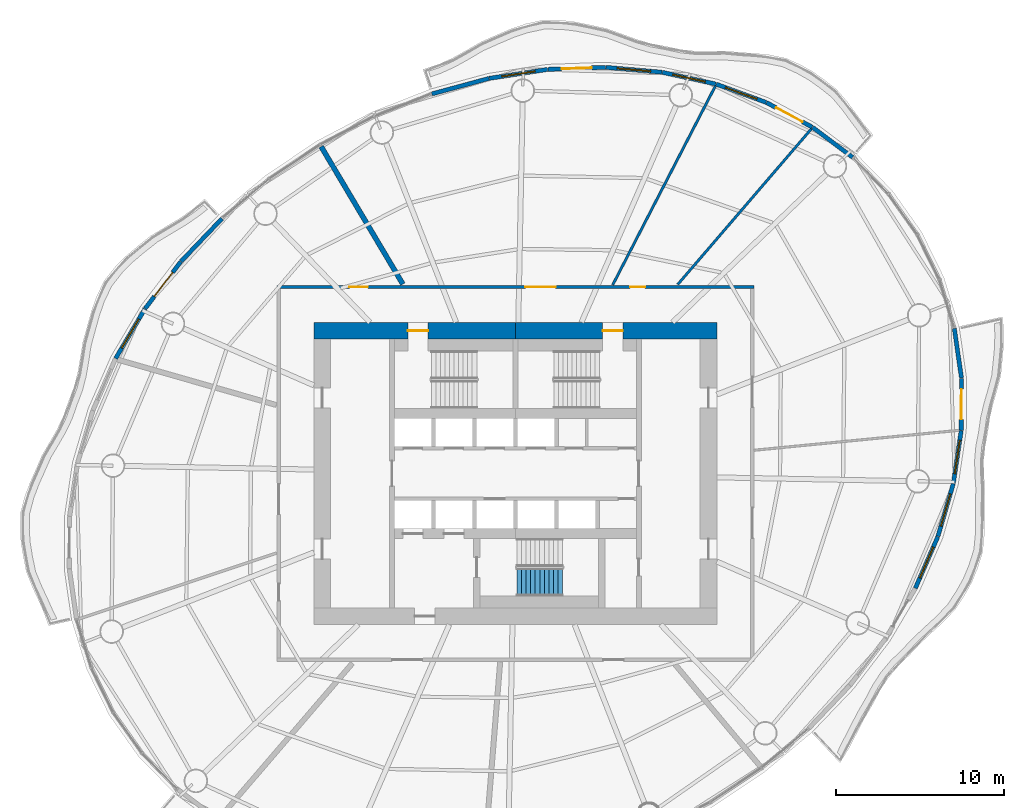
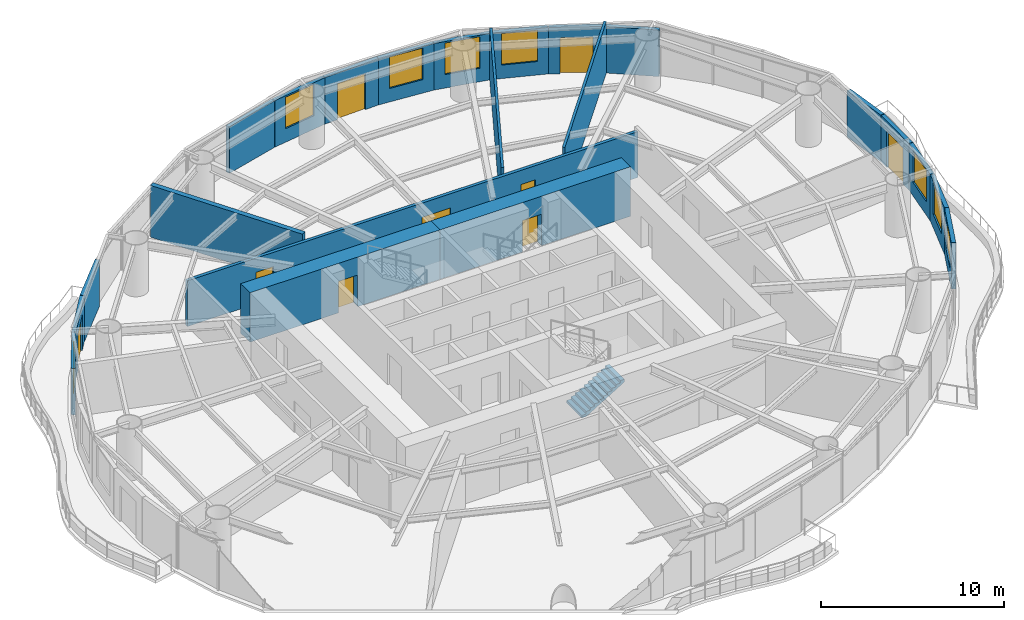
# One storey, part 10 of 14: 22 walls, 9 doors, 8 windows, 1 stair flight, 17 openings, 1 element without a shape of its own.
"""IFC4 building model written with IfcOpenShell, lengths in metres."""

from ifc_helpers import new_model, si_unit, direction, frame, frame_2d, origin, place, context, subcontext, project, spatial, polyline, rectangle, outline, extrude, material, layer, layer_set, type_object, element, fill, aggregate, save


model = new_model("IFC4")

# Units and contexts
model_context = context("Model", 3, precision=1e-05, world=origin(), true_north=direction((0.0, 1.0)))
body_context = subcontext(model_context, "Body", "Model", "MODEL_VIEW")
ifc_project = project(units=[si_unit("LENGTHUNIT", "METRE"), si_unit("AREAUNIT", "SQUARE_METRE"), si_unit("VOLUMEUNIT", "CUBIC_METRE"), si_unit("PLANEANGLEUNIT", "RADIAN"), si_unit("MASSUNIT", "GRAM", prefix="KILO")], contexts=[model_context])

# Site, building, storey
site_placement = place(None, origin())
site = spatial("IfcSite", under=ifc_project, at=site_placement, CompositionType="ELEMENT")
building_placement = place(site_placement, origin())
building = spatial("IfcBuilding", under=site, at=building_placement, Name="Vermilion Reach Broadcast Tower", CompositionType="ELEMENT")
storey_placement = place(building_placement, frame((0.0, 0.0, 157.800048828125)))
storey = spatial("IfcBuildingStorey", under=building, at=storey_placement, Name="L37", CompositionType="ELEMENT", Elevation=157.800048828125)

# Wall, opening, door
ifc_material_1 = material(Name="Concrete C70", Category="concrete")
ifc_layer_1 = layer(ifc_material_1, 1.0)
ifc_layer_set_1 = layer_set([ifc_layer_1], Name="Core outer wall 1000 mm Concrete C70")
wall_type_1 = type_object("IfcWallType", Name="Core outer wall 1000 mm Concrete C70", PredefinedType="SHEAR", material=ifc_layer_set_1)
wall_1_placement = place(storey_placement, frame((6.0, 8.5, 0.0), z_axis=(0.0, 0.0, 1.0), x_axis=(-1.0, 0.0, 0.0)))
wall_1 = element("IfcWall", 1, at=wall_1_placement, inside=storey, type_object=wall_type_1, Name="L37 core wall onE", PredefinedType="SHEAR", context=body_context, shape_type="SweptSolid", body=[
    extrude(rectangle(XDim=12.0, YDim=1.0, at=frame_2d((6.0, 0.0))), origin(), (0.0, 0.0, 1.0), 3.300048828125),
])
opening_1_placement = place(wall_1_placement, frame((5.60009765625, 0.0, 0.0)))
opening_1 = element("IfcOpeningElement", 2, at=opening_1_placement, cuts=wall_1, Name="Opening D01", PredefinedType="OPENING", context=body_context, shape_type="SweptSolid", body=[
    extrude(rectangle(XDim=1.199951171875, YDim=2.10009765625, at=frame_2d((0.60009765625, 1.050048828125))), frame((0.0, 0.510009765625, 0.0), z_axis=(0.0, -1.0, 0.0), x_axis=(1.0, 0.0, 0.0)), (0.0, 0.0, 1.0), 1.02001953125),
])
ifc_material_2 = material(Name="Painted steel fire door", Category="steel")
door_type_1 = type_object("IfcDoorType", Name="Stair door 1200 x 2100", OperationType="DOUBLE_DOOR_SINGLE_SWING", PredefinedType="NOTDEFINED", material=ifc_material_2)
door_1_placement = place(opening_1_placement, origin())
door_1 = element("IfcDoor", 3, at=door_1_placement, inside=storey, type_object=door_type_1, Name="L37 stair door ST2", OperationType="DOUBLE_DOOR_SINGLE_SWING", OverallHeight=2.10009765625, OverallWidth=1.199951171875, PredefinedType="NOTDEFINED", context=body_context, shape_type="SweptSolid", body=[
    extrude(rectangle(XDim=1.199951171875, YDim=2.10009765625, at=frame_2d((0.60009765625, 1.050048828125))), frame((0.0, 0.02490234375, 0.0), z_axis=(0.0, -1.0, 0.0), x_axis=(1.0, 0.0, 0.0)), (0.0, 0.0, 1.0), 0.050048828125),
])
fill(opening_1, door_1)

wall_2_placement = place(storey_placement, frame((-6.0, 8.5, 0.0), z_axis=(0.0, 0.0, 1.0), x_axis=(-1.0, 0.0, 0.0)))
wall_2 = element("IfcWall", 4, at=wall_2_placement, inside=storey, type_object=wall_type_1, Name="L37 core wall onW", PredefinedType="SHEAR", context=body_context, shape_type="SweptSolid", body=[
    extrude(rectangle(XDim=12.0, YDim=1.0, at=frame_2d((6.0, 0.0))), origin(), (0.0, 0.0, 1.0), 3.300048828125),
])
opening_2_placement = place(wall_2_placement, frame((5.199951171875, 0.0, 0.0)))
opening_2 = element("IfcOpeningElement", 5, at=opening_2_placement, cuts=wall_2, Name="Opening D01", PredefinedType="OPENING", context=body_context, shape_type="SweptSolid", body=[
    extrude(rectangle(XDim=1.199951171875, YDim=2.10009765625, at=frame_2d((0.60009765625, 1.050048828125))), frame((0.0, 0.510009765625, 0.0), z_axis=(0.0, -1.0, 0.0), x_axis=(1.0, 0.0, 0.0)), (0.0, 0.0, 1.0), 1.02001953125),
])
door_2_placement = place(opening_2_placement, origin())
door_2 = element("IfcDoor", 6, at=door_2_placement, inside=storey, type_object=door_type_1, Name="L37 stair door ST1", OperationType="DOUBLE_DOOR_SINGLE_SWING", OverallHeight=2.10009765625, OverallWidth=1.199951171875, PredefinedType="NOTDEFINED", context=body_context, shape_type="SweptSolid", body=[
    extrude(rectangle(XDim=1.199951171875, YDim=2.10009765625, at=frame_2d((0.60009765625, 1.050048828125))), frame((0.0, 0.02490234375, 0.0), z_axis=(0.0, -1.0, 0.0), x_axis=(1.0, 0.0, 0.0)), (0.0, 0.0, 1.0), 0.050048828125),
])
fill(opening_2, door_2)

# Walls
ifc_material_3 = material(Name="Lightweight concrete block, plastered", Category="concrete")
ifc_layer_2 = layer(ifc_material_3, 0.14990234375)
ifc_layer_set_2 = layer_set([ifc_layer_2], Name="Partition 150 lightweight block")
wall_type_2 = type_object("IfcWallType", Name="Partition 150 lightweight block", PredefinedType="PARTITIONING", material=ifc_layer_set_2)
wall_3_placement = place(storey_placement, frame((11.6162109375, 20.51123046875, 0.0), z_axis=(0.0, 0.0, 1.0), x_axis=(-0.6515386605, -0.758615432135, 0.0)))
element("IfcWall", 7, at=wall_3_placement, inside=storey, type_object=wall_type_2, Name="Partition 37.01", PredefinedType="PARTITIONING", context=body_context, shape_type="SweptSolid", body=[
    extrude(rectangle(XDim=12.209716796875, YDim=0.14990234375, at=frame_2d((6.10498046875, 0.0))), origin(), (0.0, 0.0, 1.0), 3.449951171875),
])
wall_4_placement = place(storey_placement, frame((5.904541015625, 23.0673828125, 0.0), z_axis=(0.0, 0.0, 1.0), x_axis=(-0.458603221977, -0.888641145116, 0.0)))
element("IfcWall", 8, at=wall_4_placement, inside=storey, type_object=wall_type_2, Name="Partition 37.02", PredefinedType="PARTITIONING", context=body_context, shape_type="SweptSolid", body=[
    extrude(rectangle(XDim=13.31591796875, YDim=0.14990234375, at=frame_2d((6.657958984375, 0.0))), origin(), (0.0, 0.0, 1.0), 3.449951171875),
])
ifc_material_4 = material(Name="Double-leaf plasterboard on isolated steel stud", Category="steel")
ifc_layer_3 = layer(ifc_material_4, 0.300048828125)
ifc_layer_set_3 = layer_set([ifc_layer_3], Name="Partition 300 acoustic double leaf")
wall_type_3 = type_object("IfcWallType", Name="Partition 300 acoustic double leaf", PredefinedType="PARTITIONING", material=ifc_layer_set_3)
wall_5_placement = place(storey_placement, frame((-17.564208984375, 19.4609375, 0.0), z_axis=(0.0, 0.0, 1.0), x_axis=(0.510836754181, -0.859677736467, 0.0)))
element("IfcWall", 9, at=wall_5_placement, inside=storey, type_object=wall_type_3, Name="Partition 37.03", PredefinedType="PARTITIONING", context=body_context, shape_type="SweptSolid", body=[
    extrude(rectangle(XDim=9.520263671875, YDim=0.300048828125, at=frame_2d((4.76025390625, 0.0))), origin(), (0.0, 0.0, 1.0), 3.449951171875),
])
ifc_material_5 = material(Name="Terracotta rainscreen cladding", Category="masonry")
ifc_layer_4 = layer(ifc_material_5, 0.25)
ifc_layer_set_4 = layer_set([ifc_layer_4], Name="Terracotta rainscreen wall 250")
wall_type_4 = type_object("IfcWallType", Name="Terracotta rainscreen wall 250", PredefinedType="SOLIDWALL", material=ifc_layer_set_4)
wall_6_placement = place(storey_placement, frame((14.07958984375, 18.82568359375, 0.0), z_axis=(0.0, 0.0, 1.0), x_axis=(-0.800953148143, 0.598727028353, 0.0)))
element("IfcWall", 10, at=wall_6_placement, inside=storey, type_object=wall_type_4, Name="External wall L37 02", PredefinedType="SOLIDWALL", context=body_context, shape_type="SweptSolid", body=[
    extrude(rectangle(XDim=2.978271484375, YDim=0.25, at=frame_2d((1.4892578125, 0.0))), origin(), (0.0, 0.0, 1.0), 3.099853515625),
])

# Wall, opening, door
wall_7_placement = place(storey_placement, frame((11.671630859375, 20.623046875, 0.0), z_axis=(0.0, 0.0, 1.0), x_axis=(-0.880950483719, 0.473208458541, 0.0)))
wall_7 = element("IfcWall", 11, at=wall_7_placement, inside=storey, type_object=wall_type_4, Name="External wall L37 03", PredefinedType="SOLIDWALL", context=body_context, shape_type="SweptSolid", body=[
    extrude(rectangle(XDim=3.087890625, YDim=0.25, at=frame_2d((1.5439453125, 0.0))), origin(), (0.0, 0.0, 1.0), 3.099853515625),
])
opening_3_placement = place(wall_7_placement, frame((0.64404296875, 0.0, 0.0)))
opening_3 = element("IfcOpeningElement", 12, at=opening_3_placement, cuts=wall_7, Name="Opening D70", PredefinedType="OPENING", context=body_context, shape_type="SweptSolid", body=[
    extrude(rectangle(XDim=1.800048828125, YDim=2.39990234375, at=frame_2d((0.89990234375, 1.199951171875))), frame((0.0, 0.135009765625, 0.0), z_axis=(0.0, -1.0, 0.0), x_axis=(1.0, 0.0, 0.0)), (0.0, 0.0, 1.0), 0.27001953125),
])
ifc_material_6 = material(Name="Low-e laminated clear glass in aluminium frame", Category="aluminium")
door_type_2 = type_object("IfcDoorType", Name="Balcony sliding door 1800 x 2400", OperationType="DOUBLE_DOOR_SLIDING", PredefinedType="DOOR", material=ifc_material_6)
door_3_placement = place(opening_3_placement, origin())
door_3 = element("IfcDoor", 13, at=door_3_placement, inside=storey, type_object=door_type_2, Name="Balcony door L37 run 01", OperationType="DOUBLE_DOOR_SLIDING", OverallHeight=2.39990234375, OverallWidth=1.800048828125, PredefinedType="DOOR", context=body_context, shape_type="SweptSolid", body=[
    extrude(rectangle(XDim=1.800048828125, YDim=2.39990234375, at=frame_2d((0.89990234375, 1.199951171875))), frame((0.0, 0.02490234375, 0.0), z_axis=(0.0, -1.0, 0.0), x_axis=(1.0, 0.0, 0.0)), (0.0, 0.0, 1.0), 0.050048828125),
])
fill(opening_3, door_3)

# Wall, opening, window
wall_8_placement = place(storey_placement, frame((8.927978515625, 22.0947265625, 0.0), z_axis=(0.0, 0.0, 1.0), x_axis=(-0.93919375703, 0.343387662498, 0.0)))
wall_8 = element("IfcWall", 14, at=wall_8_placement, inside=storey, type_object=wall_type_4, Name="External wall L37 04", PredefinedType="SOLIDWALL", context=body_context, shape_type="SweptSolid", body=[
    extrude(rectangle(XDim=3.16943359375, YDim=0.25, at=frame_2d((1.584716796875, 0.0))), origin(), (0.0, 0.0, 1.0), 3.099853515625),
])
opening_4_placement = place(wall_8_placement, frame((0.584716796875, 0.0, 0.89990234375)))
opening_4 = element("IfcOpeningElement", 15, at=opening_4_placement, cuts=wall_8, Name="Opening W03", PredefinedType="OPENING", context=body_context, shape_type="SweptSolid", body=[
    extrude(rectangle(XDim=2.0, YDim=2.10009765625, at=frame_2d((1.0, 1.050048828125))), frame((0.0, 0.135009765625, 0.0), z_axis=(0.0, -1.0, 0.0), x_axis=(1.0, 0.0, 0.0)), (0.0, 0.0, 1.0), 0.27001953125),
])
ifc_material_7 = material(Name="Low-e laminated clear glass in aluminium frame", Category="aluminium")
window_type = type_object("IfcWindowType", Name="Punched window 2000 x 2100 sill 900", PartitioningType="SINGLE_PANEL", PredefinedType="WINDOW", material=ifc_material_7)
window_1_placement = place(opening_4_placement, origin())
window_1 = element("IfcWindow", 16, at=window_1_placement, inside=storey, type_object=window_type, Name="Window L37 04", OverallHeight=2.10009765625, OverallWidth=2.0, PartitioningType="SINGLE_PANEL", PredefinedType="WINDOW", context=body_context, shape_type="SweptSolid", body=[
    extrude(rectangle(XDim=2.0, YDim=2.10009765625, at=frame_2d((1.0, 1.050048828125))), frame((0.0, 0.030029296875, 0.0), z_axis=(0.0, -1.0, 0.0), x_axis=(1.0, 0.0, 0.0)), (0.0, 0.0, 1.0), 0.06005859375),
])
fill(opening_4, window_1)

wall_9_placement = place(storey_placement, frame((5.92724609375, 23.190185546875, 0.0), z_axis=(0.0, 0.0, 1.0), x_axis=(-0.976913214514, 0.213636540199, 0.0)))
wall_9 = element("IfcWall", 17, at=wall_9_placement, inside=storey, type_object=wall_type_4, Name="External wall L37 05", PredefinedType="SOLIDWALL", context=body_context, shape_type="SweptSolid", body=[
    extrude(rectangle(XDim=3.258056640625, YDim=0.25, at=frame_2d((1.62890625, 0.0))), origin(), (0.0, 0.0, 1.0), 3.099853515625),
])
opening_5_placement = place(wall_9_placement, frame((0.629150390625, 0.0, 0.89990234375)))
opening_5 = element("IfcOpeningElement", 18, at=opening_5_placement, cuts=wall_9, Name="Opening W03", PredefinedType="OPENING", context=body_context, shape_type="SweptSolid", body=[
    extrude(rectangle(XDim=2.0, YDim=2.10009765625, at=frame_2d((1.0, 1.050048828125))), frame((0.0, 0.135009765625, 0.0), z_axis=(0.0, -1.0, 0.0), x_axis=(1.0, 0.0, 0.0)), (0.0, 0.0, 1.0), 0.27001953125),
])
window_2_placement = place(opening_5_placement, origin())
window_2 = element("IfcWindow", 19, at=window_2_placement, inside=storey, type_object=window_type, Name="Window L37 05", OverallHeight=2.10009765625, OverallWidth=2.0, PartitioningType="SINGLE_PANEL", PredefinedType="WINDOW", context=body_context, shape_type="SweptSolid", body=[
    extrude(rectangle(XDim=2.0, YDim=2.10009765625, at=frame_2d((1.0, 1.050048828125))), frame((0.0, 0.030029296875, 0.0), z_axis=(0.0, -1.0, 0.0), x_axis=(1.0, 0.0, 0.0)), (0.0, 0.0, 1.0), 0.06005859375),
])
fill(opening_5, window_2)

wall_10_placement = place(storey_placement, frame((2.720703125, 23.889892578125, 0.0), z_axis=(0.0, 0.0, 1.0), x_axis=(-0.996225793942, 0.086799582281, 0.0)))
wall_10 = element("IfcWall", 20, at=wall_10_placement, inside=storey, type_object=wall_type_4, Name="External wall L37 06", PredefinedType="SOLIDWALL", context=body_context, shape_type="SweptSolid", body=[
    extrude(rectangle(XDim=3.34716796875, YDim=0.25, at=frame_2d((1.673583984375, 0.0))), origin(), (0.0, 0.0, 1.0), 3.099853515625),
])
opening_6_placement = place(wall_10_placement, frame((0.673583984375, 0.0, 0.89990234375)))
opening_6 = element("IfcOpeningElement", 21, at=opening_6_placement, cuts=wall_10, Name="Opening W03", PredefinedType="OPENING", context=body_context, shape_type="SweptSolid", body=[
    extrude(rectangle(XDim=2.0, YDim=2.10009765625, at=frame_2d((1.0, 1.050048828125))), frame((0.0, 0.135009765625, 0.0), z_axis=(0.0, -1.0, 0.0), x_axis=(1.0, 0.0, 0.0)), (0.0, 0.0, 1.0), 0.27001953125),
])
window_3_placement = place(opening_6_placement, origin())
window_3 = element("IfcWindow", 22, at=window_3_placement, inside=storey, type_object=window_type, Name="Window L37 06", OverallHeight=2.10009765625, OverallWidth=2.0, PartitioningType="SINGLE_PANEL", PredefinedType="WINDOW", context=body_context, shape_type="SweptSolid", body=[
    extrude(rectangle(XDim=2.0, YDim=2.10009765625, at=frame_2d((1.0, 1.050048828125))), frame((0.0, 0.030029296875, 0.0), z_axis=(0.0, -1.0, 0.0), x_axis=(1.0, 0.0, 0.0)), (0.0, 0.0, 1.0), 0.06005859375),
])
fill(opening_6, window_3)

# Wall, opening, door
wall_11_placement = place(storey_placement, frame((-0.63720703125, 24.18115234375, 0.0), z_axis=(0.0, 0.0, 1.0), x_axis=(-0.9993794249, -0.035224495537, 0.0)))
wall_11 = element("IfcWall", 23, at=wall_11_placement, inside=storey, type_object=wall_type_4, Name="External wall L37 07", PredefinedType="SOLIDWALL", context=body_context, shape_type="SweptSolid", body=[
    extrude(rectangle(XDim=3.430908203125, YDim=0.25, at=frame_2d((1.71533203125, 0.0))), origin(), (0.0, 0.0, 1.0), 3.099853515625),
])
opening_7_placement = place(wall_11_placement, frame((0.81591796875, 0.0, 0.0)))
opening_7 = element("IfcOpeningElement", 24, at=opening_7_placement, cuts=wall_11, Name="Opening D70", PredefinedType="OPENING", context=body_context, shape_type="SweptSolid", body=[
    extrude(rectangle(XDim=1.800048828125, YDim=2.39990234375, at=frame_2d((0.89990234375, 1.199951171875))), frame((0.0, 0.135009765625, 0.0), z_axis=(0.0, -1.0, 0.0), x_axis=(1.0, 0.0, 0.0)), (0.0, 0.0, 1.0), 0.27001953125),
])
door_4_placement = place(opening_7_placement, origin())
door_4 = element("IfcDoor", 25, at=door_4_placement, inside=storey, type_object=door_type_2, Name="Balcony door L37 run 02", OperationType="DOUBLE_DOOR_SLIDING", OverallHeight=2.39990234375, OverallWidth=1.800048828125, PredefinedType="DOOR", context=body_context, shape_type="SweptSolid", body=[
    extrude(rectangle(XDim=1.800048828125, YDim=2.39990234375, at=frame_2d((0.89990234375, 1.199951171875))), frame((0.0, 0.02490234375, 0.0), z_axis=(0.0, -1.0, 0.0), x_axis=(1.0, 0.0, 0.0)), (0.0, 0.0, 1.0), 0.050048828125),
])
fill(opening_7, door_4)

# Wall, opening, window
wall_12_placement = place(storey_placement, frame((-4.088623046875, 24.05810546875, 0.0), z_axis=(0.0, 0.0, 1.0), x_axis=(-0.98845290294, -0.151528408789, 0.0)))
wall_12 = element("IfcWall", 26, at=wall_12_placement, inside=storey, type_object=wall_type_4, Name="External wall L37 08", PredefinedType="SOLIDWALL", context=body_context, shape_type="SweptSolid", body=[
    extrude(rectangle(XDim=3.50439453125, YDim=0.25, at=frame_2d((1.752197265625, 0.0))), origin(), (0.0, 0.0, 1.0), 3.099853515625),
])
opening_8_placement = place(wall_12_placement, frame((0.752197265625, 0.0, 0.89990234375)))
opening_8 = element("IfcOpeningElement", 27, at=opening_8_placement, cuts=wall_12, Name="Opening W03", PredefinedType="OPENING", context=body_context, shape_type="SweptSolid", body=[
    extrude(rectangle(XDim=2.0, YDim=2.10009765625, at=frame_2d((1.0, 1.050048828125))), frame((0.0, 0.135009765625, 0.0), z_axis=(0.0, -1.0, 0.0), x_axis=(1.0, 0.0, 0.0)), (0.0, 0.0, 1.0), 0.27001953125),
])
window_4_placement = place(opening_8_placement, origin())
window_4 = element("IfcWindow", 28, at=window_4_placement, inside=storey, type_object=window_type, Name="Window L37 08", OverallHeight=2.10009765625, OverallWidth=2.0, PartitioningType="SINGLE_PANEL", PredefinedType="WINDOW", context=body_context, shape_type="SweptSolid", body=[
    extrude(rectangle(XDim=2.0, YDim=2.10009765625, at=frame_2d((1.0, 1.050048828125))), frame((0.0, 0.030029296875, 0.0), z_axis=(0.0, -1.0, 0.0), x_axis=(1.0, 0.0, 0.0)), (0.0, 0.0, 1.0), 0.06005859375),
])
fill(opening_8, window_4)

# Walls
wall_13_placement = place(storey_placement, frame((-7.573974609375, 23.5224609375, 0.0), z_axis=(0.0, 0.0, 1.0), x_axis=(-0.965135872227, -0.261749399505, 0.0)))
element("IfcWall", 29, at=wall_13_placement, inside=storey, type_object=wall_type_4, Name="External wall L37 09", PredefinedType="SOLIDWALL", context=body_context, shape_type="SweptSolid", body=[
    extrude(rectangle(XDim=3.519287109375, YDim=0.25, at=frame_2d((1.759765625, 0.0))), origin(), (0.0, 0.0, 1.0), 3.099853515625),
])
wall_14_placement = place(storey_placement, frame((-23.474853515625, 15.170654296875, 0.0), z_axis=(0.0, 0.0, 1.0), x_axis=(-0.691359678914, -0.722510757271, 0.0)))
element("IfcWall", 30, at=wall_14_placement, inside=storey, type_object=wall_type_4, Name="External wall L37 14", PredefinedType="SOLIDWALL", context=body_context, shape_type="SweptSolid", body=[
    extrude(rectangle(XDim=3.51904296875, YDim=0.25, at=frame_2d((1.759521484375, 0.0))), origin(), (0.0, 0.0, 1.0), 3.099853515625),
])

# Wall, opening, door
wall_15_placement = place(storey_placement, frame((-25.922119140625, 12.611328125, 0.0), z_axis=(0.0, 0.0, 1.0), x_axis=(-0.605625422528, -0.795749864962, 0.0)))
wall_15 = element("IfcWall", 31, at=wall_15_placement, inside=storey, type_object=wall_type_4, Name="External wall L37 15", PredefinedType="SOLIDWALL", context=body_context, shape_type="SweptSolid", body=[
    extrude(rectangle(XDim=3.50439453125, YDim=0.25, at=frame_2d((1.752197265625, 0.0))), origin(), (0.0, 0.0, 1.0), 3.099853515625),
])
opening_9_placement = place(wall_15_placement, frame((0.802001953125, 0.0, 0.0)))
opening_9 = element("IfcOpeningElement", 32, at=opening_9_placement, cuts=wall_15, Name="Opening D70", PredefinedType="OPENING", context=body_context, shape_type="SweptSolid", body=[
    extrude(rectangle(XDim=1.800048828125, YDim=2.39990234375, at=frame_2d((0.89990234375, 1.199951171875))), frame((0.0, 0.135009765625, 0.0), z_axis=(0.0, -1.0, 0.0), x_axis=(1.0, 0.0, 0.0)), (0.0, 0.0, 1.0), 0.27001953125),
])
door_5_placement = place(opening_9_placement, origin())
door_5 = element("IfcDoor", 33, at=door_5_placement, inside=storey, type_object=door_type_2, Name="Balcony door L37 run 04", OperationType="DOUBLE_DOOR_SLIDING", OverallHeight=2.39990234375, OverallWidth=1.800048828125, PredefinedType="DOOR", context=body_context, shape_type="SweptSolid", body=[
    extrude(rectangle(XDim=1.800048828125, YDim=2.39990234375, at=frame_2d((0.89990234375, 1.199951171875))), frame((0.0, 0.02490234375, 0.0), z_axis=(0.0, -1.0, 0.0), x_axis=(1.0, 0.0, 0.0)), (0.0, 0.0, 1.0), 0.050048828125),
])
fill(opening_9, door_5)

# Wall, opening, window
wall_16_placement = place(storey_placement, frame((-28.05712890625, 9.803955078125, 0.0), z_axis=(0.0, 0.0, 1.0), x_axis=(-0.508707735762, -0.860939277519, 0.0)))
wall_16 = element("IfcWall", 34, at=wall_16_placement, inside=storey, type_object=wall_type_4, Name="External wall L37 16", PredefinedType="SOLIDWALL", context=body_context, shape_type="SweptSolid", body=[
    extrude(rectangle(XDim=3.430908203125, YDim=0.25, at=frame_2d((1.71533203125, 0.0))), origin(), (0.0, 0.0, 1.0), 3.099853515625),
])
opening_10_placement = place(wall_16_placement, frame((0.715576171875, 0.0, 0.89990234375)))
opening_10 = element("IfcOpeningElement", 35, at=opening_10_placement, cuts=wall_16, Name="Opening W03", PredefinedType="OPENING", context=body_context, shape_type="SweptSolid", body=[
    extrude(rectangle(XDim=2.0, YDim=2.10009765625, at=frame_2d((1.0, 1.050048828125))), frame((0.0, 0.135009765625, 0.0), z_axis=(0.0, -1.0, 0.0), x_axis=(1.0, 0.0, 0.0)), (0.0, 0.0, 1.0), 0.27001953125),
])
window_5_placement = place(opening_10_placement, origin())
window_5 = element("IfcWindow", 36, at=window_5_placement, inside=storey, type_object=window_type, Name="Window L37 16", OverallHeight=2.10009765625, OverallWidth=2.0, PartitioningType="SINGLE_PANEL", PredefinedType="WINDOW", context=body_context, shape_type="SweptSolid", body=[
    extrude(rectangle(XDim=2.0, YDim=2.10009765625, at=frame_2d((1.0, 1.050048828125))), frame((0.0, 0.030029296875, 0.0), z_axis=(0.0, -1.0, 0.0), x_axis=(1.0, 0.0, 0.0)), (0.0, 0.0, 1.0), 0.06005859375),
])
fill(opening_10, window_5)

wall_17_placement = place(storey_placement, frame((17.813232421875, -6.82958984375, 0.0), z_axis=(0.0, 0.0, 1.0), x_axis=(0.399984559648, 0.916521877559, 0.0)))
wall_17 = element("IfcWall", 37, at=wall_17_placement, inside=storey, type_object=wall_type_4, Name="External wall L37 41", PredefinedType="SOLIDWALL", context=body_context, shape_type="SweptSolid", body=[
    extrude(rectangle(XDim=3.347412109375, YDim=0.25, at=frame_2d((1.673828125, 0.0))), origin(), (0.0, 0.0, 1.0), 3.099853515625),
])
opening_11_placement = place(wall_17_placement, frame((0.673583984375, 0.0, 0.89990234375)))
opening_11 = element("IfcOpeningElement", 38, at=opening_11_placement, cuts=wall_17, Name="Opening W03", PredefinedType="OPENING", context=body_context, shape_type="SweptSolid", body=[
    extrude(rectangle(XDim=2.0, YDim=2.10009765625, at=frame_2d((1.0, 1.050048828125))), frame((0.0, 0.135009765625, 0.0), z_axis=(0.0, -1.0, 0.0), x_axis=(1.0, 0.0, 0.0)), (0.0, 0.0, 1.0), 0.27001953125),
])
window_6_placement = place(opening_11_placement, origin())
window_6 = element("IfcWindow", 39, at=window_6_placement, inside=storey, type_object=window_type, Name="Window L37 41", OverallHeight=2.10009765625, OverallWidth=2.0, PartitioningType="SINGLE_PANEL", PredefinedType="WINDOW", context=body_context, shape_type="SweptSolid", body=[
    extrude(rectangle(XDim=2.0, YDim=2.10009765625, at=frame_2d((1.0, 1.050048828125))), frame((0.0, 0.030029296875, 0.0), z_axis=(0.0, -1.0, 0.0), x_axis=(1.0, 0.0, 0.0)), (0.0, 0.0, 1.0), 0.06005859375),
])
fill(opening_11, window_6)

wall_18_placement = place(storey_placement, frame((19.16015625, -3.7392578125, 0.0), z_axis=(0.0, 0.0, 1.0), x_axis=(0.279349638575, 0.960189449759, 0.0)))
wall_18 = element("IfcWall", 40, at=wall_18_placement, inside=storey, type_object=wall_type_4, Name="External wall L37 42", PredefinedType="SOLIDWALL", context=body_context, shape_type="SweptSolid", body=[
    extrude(rectangle(XDim=3.258056640625, YDim=0.25, at=frame_2d((1.62890625, 0.0))), origin(), (0.0, 0.0, 1.0), 3.099853515625),
])
opening_12_placement = place(wall_18_placement, frame((0.629150390625, 0.0, 0.89990234375)))
opening_12 = element("IfcOpeningElement", 41, at=opening_12_placement, cuts=wall_18, Name="Opening W03", PredefinedType="OPENING", context=body_context, shape_type="SweptSolid", body=[
    extrude(rectangle(XDim=2.0, YDim=2.10009765625, at=frame_2d((1.0, 1.050048828125))), frame((0.0, 0.135009765625, 0.0), z_axis=(0.0, -1.0, 0.0), x_axis=(1.0, 0.0, 0.0)), (0.0, 0.0, 1.0), 0.27001953125),
])
window_7_placement = place(opening_12_placement, origin())
window_7 = element("IfcWindow", 42, at=window_7_placement, inside=storey, type_object=window_type, Name="Window L37 42", OverallHeight=2.10009765625, OverallWidth=2.0, PartitioningType="SINGLE_PANEL", PredefinedType="WINDOW", context=body_context, shape_type="SweptSolid", body=[
    extrude(rectangle(XDim=2.0, YDim=2.10009765625, at=frame_2d((1.0, 1.050048828125))), frame((0.0, 0.030029296875, 0.0), z_axis=(0.0, -1.0, 0.0), x_axis=(1.0, 0.0, 0.0)), (0.0, 0.0, 1.0), 0.06005859375),
])
fill(opening_12, window_7)

wall_19_placement = place(storey_placement, frame((20.07568359375, -0.58642578125, 0.0), z_axis=(0.0, 0.0, 1.0), x_axis=(0.147361008263, 0.989082773707, 0.0)))
wall_19 = element("IfcWall", 43, at=wall_19_placement, inside=storey, type_object=wall_type_4, Name="External wall L37 43", PredefinedType="SOLIDWALL", context=body_context, shape_type="SweptSolid", body=[
    extrude(rectangle(XDim=3.16943359375, YDim=0.25, at=frame_2d((1.584716796875, 0.0))), origin(), (0.0, 0.0, 1.0), 3.099853515625),
])
opening_13_placement = place(wall_19_placement, frame((0.584716796875, 0.0, 0.89990234375)))
opening_13 = element("IfcOpeningElement", 44, at=opening_13_placement, cuts=wall_19, Name="Opening W03", PredefinedType="OPENING", context=body_context, shape_type="SweptSolid", body=[
    extrude(rectangle(XDim=2.0, YDim=2.10009765625, at=frame_2d((1.0, 1.050048828125))), frame((0.0, 0.135009765625, 0.0), z_axis=(0.0, -1.0, 0.0), x_axis=(1.0, 0.0, 0.0)), (0.0, 0.0, 1.0), 0.27001953125),
])
window_8_placement = place(opening_13_placement, origin())
window_8 = element("IfcWindow", 45, at=window_8_placement, inside=storey, type_object=window_type, Name="Window L37 43", OverallHeight=2.10009765625, OverallWidth=2.0, PartitioningType="SINGLE_PANEL", PredefinedType="WINDOW", context=body_context, shape_type="SweptSolid", body=[
    extrude(rectangle(XDim=2.0, YDim=2.10009765625, at=frame_2d((1.0, 1.050048828125))), frame((0.0, 0.030029296875, 0.0), z_axis=(0.0, -1.0, 0.0), x_axis=(1.0, 0.0, 0.0)), (0.0, 0.0, 1.0), 0.06005859375),
])
fill(opening_13, window_8)

# Wall, opening, door
wall_20_placement = place(storey_placement, frame((20.544921875, 2.573974609375, 0.0), z_axis=(0.0, 0.0, 1.0), x_axis=(0.005534387094, 0.999984685162, 0.0)))
wall_20 = element("IfcWall", 46, at=wall_20_placement, inside=storey, type_object=wall_type_4, Name="External wall L37 44", PredefinedType="SOLIDWALL", context=body_context, shape_type="SweptSolid", body=[
    extrude(rectangle(XDim=3.087890625, YDim=0.25, at=frame_2d((1.5439453125, 0.0))), origin(), (0.0, 0.0, 1.0), 3.099853515625),
])
opening_14_placement = place(wall_20_placement, frame((0.64404296875, 0.0, 0.0)))
opening_14 = element("IfcOpeningElement", 47, at=opening_14_placement, cuts=wall_20, Name="Opening D70", PredefinedType="OPENING", context=body_context, shape_type="SweptSolid", body=[
    extrude(rectangle(XDim=1.800048828125, YDim=2.39990234375, at=frame_2d((0.89990234375, 1.199951171875))), frame((0.0, 0.135009765625, 0.0), z_axis=(0.0, -1.0, 0.0), x_axis=(1.0, 0.0, 0.0)), (0.0, 0.0, 1.0), 0.27001953125),
])
door_6_placement = place(opening_14_placement, origin())
door_6 = element("IfcDoor", 48, at=door_6_placement, inside=storey, type_object=door_type_2, Name="Balcony door L37 run 11", OperationType="DOUBLE_DOOR_SLIDING", OverallHeight=2.39990234375, OverallWidth=1.800048828125, PredefinedType="DOOR", context=body_context, shape_type="SweptSolid", body=[
    extrude(rectangle(XDim=1.800048828125, YDim=2.39990234375, at=frame_2d((0.89990234375, 1.199951171875))), frame((0.0, 0.02490234375, 0.0), z_axis=(0.0, -1.0, 0.0), x_axis=(1.0, 0.0, 0.0)), (0.0, 0.0, 1.0), 0.050048828125),
])
fill(opening_14, door_6)

# Wall
wall_21_placement = place(storey_placement, frame((20.560302734375, 5.6884765625, 0.0), z_axis=(0.0, 0.0, 1.0), x_axis=(-0.142970577469, 0.989726939099, 0.0)))
element("IfcWall", 49, at=wall_21_placement, inside=storey, type_object=wall_type_4, Name="External wall L37 45", PredefinedType="SOLIDWALL", context=body_context, shape_type="SweptSolid", body=[
    extrude(rectangle(XDim=2.97802734375, YDim=0.25, at=frame_2d((1.489013671875, 0.0))), origin(), (0.0, 0.0, 1.0), 3.099853515625),
])

# Wall, openings, doors
ifc_material_8 = material(Name="Fire-rated gypsum board partition")
ifc_layer_5 = layer(ifc_material_8, 0.199951171875)
ifc_layer_set_5 = layer_set([ifc_layer_5], Name="Under girder: Corridor wall 200 fire-rated")
wall_type_5 = type_object("IfcWallType", Name="Under girder: Corridor wall 200 fire-rated", PredefinedType="PARTITIONING", material=ifc_layer_set_5)
wall_22_placement = place(storey_placement, frame((-20.199951171875, 11.10009765625, 0.0), z_axis=(0.0, 0.0, 1.0), x_axis=(1.0, 0.0, 0.0)))
wall_22 = element("IfcWall", 50, at=wall_22_placement, inside=storey, type_object=wall_type_5, Name="Corridor wall 37.N", PredefinedType="PARTITIONING", context=body_context, shape_type="SweptSolid", body=[
    extrude(rectangle(XDim=28.39990234375, YDim=0.199951171875, at=frame_2d((14.199951171875, 0.0))), origin(), (0.0, 0.0, 1.0), 3.050048828125),
])
opening_15_placement = place(wall_22_placement, frame((21.03173828125, 0.0, 0.0)))
opening_15 = element("IfcOpeningElement", 51, at=opening_15_placement, cuts=wall_22, Name="Opening D22", PredefinedType="OPENING", context=body_context, shape_type="SweptSolid", body=[
    extrude(rectangle(XDim=0.89990234375, YDim=2.10009765625, at=frame_2d((0.449951171875, 1.050048828125))), frame((0.0, 0.10986328125, 0.0), z_axis=(0.0, -1.0, 0.0), x_axis=(1.0, 0.0, 0.0)), (0.0, 0.0, 1.0), 0.219970703125),
])
opening_16_placement = place(wall_22_placement, frame((14.78955078125, 0.0, 0.0)))
opening_16 = element("IfcOpeningElement", 52, at=opening_16_placement, cuts=wall_22, Name="Opening D21", PredefinedType="OPENING", context=body_context, shape_type="SweptSolid", body=[
    extrude(rectangle(XDim=1.800048828125, YDim=2.10009765625, at=frame_2d((0.89990234375, 1.050048828125))), frame((0.0, 0.10986328125, 0.0), z_axis=(0.0, -1.0, 0.0), x_axis=(1.0, 0.0, 0.0)), (0.0, 0.0, 1.0), 0.219970703125),
])
opening_17_placement = place(wall_22_placement, frame((4.311279296875, 0.0, 0.0)))
opening_17 = element("IfcOpeningElement", 53, at=opening_17_placement, cuts=wall_22, Name="Opening D28", PredefinedType="OPENING", context=body_context, shape_type="SweptSolid", body=[
    extrude(rectangle(XDim=1.10009765625, YDim=2.10009765625, at=frame_2d((0.550048828125, 1.050048828125))), frame((0.0, 0.10986328125, 0.0), z_axis=(0.0, -1.0, 0.0), x_axis=(1.0, 0.0, 0.0)), (0.0, 0.0, 1.0), 0.219970703125),
])
ifc_material_9 = material(Name="Timber door leaf", Category="wood")
door_type_3 = type_object("IfcDoorType", Name="Door pair 1800x2100", OperationType="NOTDEFINED", PredefinedType="DOOR", material=ifc_material_9)
door_7_placement = place(opening_16_placement, origin())
door_7 = element("IfcDoor", 54, at=door_7_placement, inside=storey, type_object=door_type_3, Name="Door 37.02", OperationType="DOUBLE_DOOR_SINGLE_SWING", OverallHeight=2.10009765625, OverallWidth=1.800048828125, PredefinedType="DOOR", context=body_context, shape_type="SweptSolid", body=[
    extrude(rectangle(XDim=1.800048828125, YDim=2.10009765625, at=frame_2d((0.89990234375, 1.050048828125))), frame((0.0, 0.02490234375, 0.0), z_axis=(0.0, -1.0, 0.0), x_axis=(1.0, 0.0, 0.0)), (0.0, 0.0, 1.0), 0.050048828125),
])
fill(opening_16, door_7)
ifc_material_10 = material(Name="Acoustic sound-lock door leaf")
door_type_4 = type_object("IfcDoorType", Name="Door single 1100x2100", OperationType="NOTDEFINED", PredefinedType="DOOR", material=ifc_material_10)
door_8_placement = place(opening_17_placement, origin())
door_8 = element("IfcDoor", 55, at=door_8_placement, inside=storey, type_object=door_type_4, Name="Door 37.03", OperationType="SINGLE_SWING_RIGHT", OverallHeight=2.10009765625, OverallWidth=1.10009765625, PredefinedType="DOOR", context=body_context, shape_type="SweptSolid", body=[
    extrude(rectangle(XDim=1.10009765625, YDim=2.10009765625, at=frame_2d((0.550048828125, 1.050048828125))), frame((0.0, 0.02490234375, 0.0), z_axis=(0.0, -1.0, 0.0), x_axis=(1.0, 0.0, 0.0)), (0.0, 0.0, 1.0), 0.050048828125),
])
fill(opening_17, door_8)
ifc_material_11 = material(Name="Timber door leaf", Category="wood")
door_type_5 = type_object("IfcDoorType", Name="Door single 900x2100", OperationType="NOTDEFINED", PredefinedType="DOOR", material=ifc_material_11)
door_9_placement = place(opening_15_placement, origin())
door_9 = element("IfcDoor", 56, at=door_9_placement, inside=storey, type_object=door_type_5, Name="Door 37.01", OperationType="SINGLE_SWING_LEFT", OverallHeight=2.10009765625, OverallWidth=0.89990234375, PredefinedType="DOOR", context=body_context, shape_type="SweptSolid", body=[
    extrude(rectangle(XDim=0.89990234375, YDim=2.10009765625, at=frame_2d((0.449951171875, 1.050048828125))), frame((0.0, 0.02490234375, 0.0), z_axis=(0.0, -1.0, 0.0), x_axis=(1.0, 0.0, 0.0)), (0.0, 0.0, 1.0), 0.050048828125),
])
fill(opening_15, door_9)

# Stair, stair flight
ifc_material_12 = material(Name="Concrete C40", Category="concrete")
stair_type = type_object("IfcStairType", Name="Exit stair RC 22 risers 164 mm", PredefinedType="HALF_TURN_STAIR", material=ifc_material_12)
stair_placement = place(storey_placement, origin())
stair = element("IfcStair", 57, at=stair_placement, inside=storey, type_object=stair_type, Name="L37 Exit stair ST3", PredefinedType="HALF_TURN_STAIR")
ifc_material_13 = material(Name="Concrete C40", Category="concrete")
stair_flight_type = type_object("IfcStairFlightType", Name="Exit stair flight RC 11 risers", PredefinedType="STRAIGHT", material=ifc_material_13)
stair_flight_placement = place(storey_placement, frame((-5.89990234375, -6.469970703125, 0.0), z_axis=(0.0, 0.0, 1.0), x_axis=(1.0, 0.0, 0.0)))
stair_flight = element("IfcStairFlight", 58, at=stair_flight_placement, type_object=stair_flight_type, Name="ST3 flight 1", NumberOfRisers=11, NumberOfTreads=10, PredefinedType="STRAIGHT", RiserHeight=0.163636364, TreadLength=0.27, context=body_context, shape_type="SweptSolid", body=[
    extrude(outline(polyline([(0.0, 0.0), (0.0, 0.16357421875), (0.27001953125, 0.16357421875), (0.27001953125, 0.327392578125), (0.5400390625, 0.327392578125), (0.5400390625, 0.490966796875), (0.81005859375, 0.490966796875), (0.81005859375, 0.654541015625), (1.080078125, 0.654541015625), (1.080078125, 0.818115234375), (1.35009765625, 0.818115234375), (1.35009765625, 0.98193359375), (1.6201171875, 0.98193359375), (1.6201171875, 1.1455078125), (1.889892578125, 1.1455078125), (1.889892578125, 1.30908203125), (2.159912109375, 1.30908203125), (2.159912109375, 1.47265625), (2.429931640625, 1.47265625), (2.429931640625, 1.636474609375), (2.699951171875, 1.636474609375), (2.699951171875, 1.800048828125), (2.699951171875, 1.461181640625), (0.289306640625, 0.0), (0.0, 0.0)])), frame((0.0, 0.830078125, 0.0), z_axis=(0.0, -1.0, 0.0), x_axis=(1.0, 0.0, 0.0)), (0.0, 0.0, 1.0), 1.659912109375),
])
aggregate(stair, [stair_flight])

save(model, "model.ifc")
